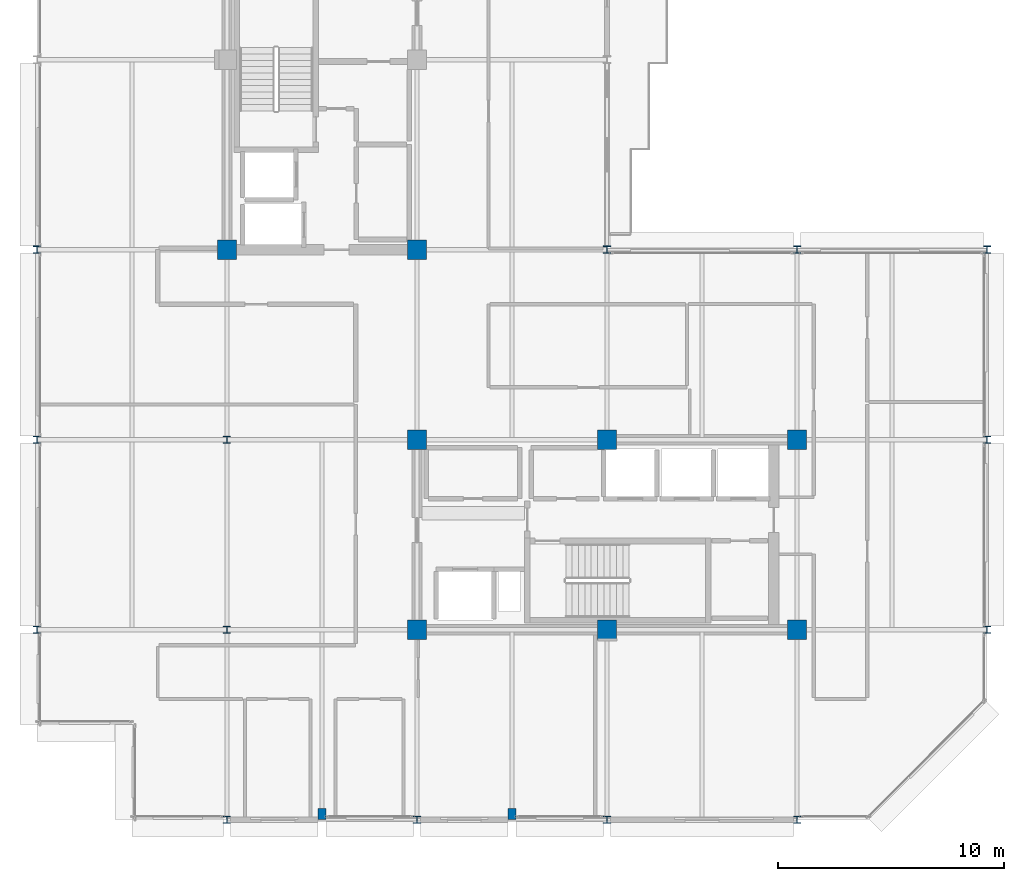
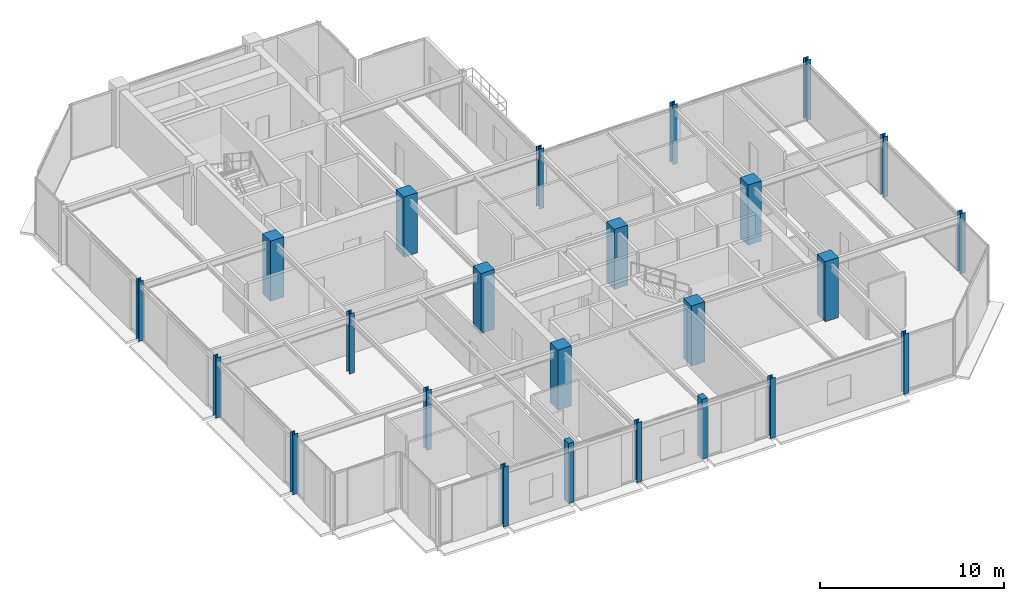
# One storey, part 1 of 27: 24 columns.
"""IFC4 building model written with IfcOpenShell, lengths in metres."""

from ifc_helpers import new_model, si_unit, direction, frame, origin, origin_2d, place, context, subcontext, project, spatial, rectangle, i_section, extrude, material, material_profile, profile_set, type_object, element, save


model = new_model("IFC4")

# Units and contexts
model_context = context("Model", 3, precision=1e-05, world=origin(), true_north=direction((0.0, 1.0)))
body_context = subcontext(model_context, "Body", "Model", "MODEL_VIEW")
ifc_project = project(units=[si_unit("LENGTHUNIT", "METRE"), si_unit("AREAUNIT", "SQUARE_METRE"), si_unit("VOLUMEUNIT", "CUBIC_METRE"), si_unit("PLANEANGLEUNIT", "RADIAN"), si_unit("MASSUNIT", "GRAM", prefix="KILO")], contexts=[model_context])

# Site, building, storey
site_placement = place(None, origin())
site = spatial("IfcSite", under=ifc_project, at=site_placement, CompositionType="ELEMENT")
building_placement = place(site_placement, origin())
building = spatial("IfcBuilding", under=site, at=building_placement, Name="Nerrivon Quay Data Exchange", CompositionType="ELEMENT")
storey_placement = place(building_placement, frame((0.0, 0.0, 254.199951171875)))
storey = spatial("IfcBuildingStorey", under=building, at=storey_placement, Name="L60", CompositionType="ELEMENT", Elevation=254.199951171875)

# Columns
ifc_material_1 = material(Name="Concrete N50 (50 MPa)", Category="concrete")
ifc_material_profile_1 = material_profile(ifc_material_1, rectangle(XDim=0.85009765625, YDim=0.85009765625, at=origin_2d()), Name="RC-COL-850x850")
ifc_profile_set_1 = profile_set([ifc_material_profile_1], Name="Concrete N50 (50 MPa)")
column_type_1 = type_object("IfcColumnType", Name="COL-C5-850", PredefinedType="COLUMN", material=ifc_profile_set_1)
for number, where, z_axis, x_axis, name in (
    (1, (8.39990234375, 25.199951171875, 0.0), (0.0, 0.0, 1.0), (1.0, 0.0, 0.0), "L60 Column (8.4,25.2)"),
    (2, (16.800048828125, 8.39990234375, 0.0), (0.0, 0.0, 1.0), (1.0, 0.0, 0.0), "L60 Column (16.8,8.4)"),
    (3, (16.800048828125, 16.800048828125, 0.0), (0.0, 0.0, 1.0), (1.0, 0.0, 0.0), "L60 Column (16.8,16.8)"),
    (4, (16.800048828125, 25.199951171875, 0.0), (0.0, 0.0, 1.0), (1.0, 0.0, 0.0), "L60 Column (16.8,25.2)"),
    (5, (25.199951171875, 8.39990234375, 0.0), (0.0, 0.0, 1.0), (1.0, 0.0, 0.0), "L60 Column (25.2,8.4)"),
    (6, (25.199951171875, 16.800048828125, 0.0), (0.0, 0.0, 1.0), (1.0, 0.0, 0.0), "L60 Column (25.2,16.8)"),
    (7, (33.60009765625, 8.39990234375, 0.0), (0.0, 0.0, 1.0), (1.0, 0.0, 0.0), "L60 Column (33.6,8.4)"),
    (8, (33.60009765625, 16.800048828125, 0.0), (0.0, 0.0, 1.0), (1.0, 0.0, 0.0), "L60 Column (33.6,16.8)"),
):
    element("IfcColumn", number, at=place(storey_placement, frame(where, z_axis=z_axis, x_axis=x_axis)), inside=storey, type_object=column_type_1, Name=name, PredefinedType="COLUMN", context=body_context, shape_type="SweptSolid", body=[
        extrude(rectangle(XDim=0.85009765625, YDim=0.85009765625, at=origin_2d()), origin(), (0.0, 0.0, 1.0), 4.0),
    ])
ifc_material_2 = material(Name="Steel Grade 350", Category="steel")
ifc_material_profile_2 = material_profile(ifc_material_2, i_section(OverallWidth=0.31103515625, OverallDepth=0.326904296875, WebThickness=0.015625, FlangeThickness=0.02490234375, FilletRadius=0.0166015625, at=origin_2d()), Name="310UC158")
ifc_profile_set_2 = profile_set([ifc_material_profile_2], Name="Steel Grade 350")
column_type_2 = type_object("IfcColumnType", Name="COL-SC4-310UC158", PredefinedType="COLUMN", material=ifc_profile_set_2)
for number, where, z_axis, x_axis, name in (
    (9, (0.0, 8.39990234375, 0.0), (0.0, 0.0, 1.0), (1.0, 0.0, 0.0), "L60 Column (0.0,8.4)"),
    (10, (0.0, 16.800048828125, 0.0), (0.0, 0.0, 1.0), (1.0, 0.0, 0.0), "L60 Column (0.0,16.8)"),
    (11, (0.0, 25.199951171875, 0.0), (0.0, 0.0, 1.0), (1.0, 0.0, 0.0), "L60 Column (0.0,25.2)"),
    (12, (8.39990234375, 0.0, 0.0), (0.0, 0.0, 1.0), (1.0, 0.0, 0.0), "L60 Column (8.4,0.0)"),
    (13, (8.39990234375, 8.39990234375, 0.0), (0.0, 0.0, 1.0), (1.0, 0.0, 0.0), "L60 Column (8.4,8.4)"),
    (14, (8.39990234375, 16.800048828125, 0.0), (0.0, 0.0, 1.0), (1.0, 0.0, 0.0), "L60 Column (8.4,16.8)"),
    (15, (16.800048828125, 0.0, 0.0), (0.0, 0.0, 1.0), (1.0, 0.0, 0.0), "L60 Column (16.8,0.0)"),
    (16, (25.199951171875, 0.0, 0.0), (0.0, 0.0, 1.0), (1.0, 0.0, 0.0), "L60 Column (25.2,0.0)"),
    (17, (25.199951171875, 25.199951171875, 0.0), (0.0, 0.0, 1.0), (1.0, 0.0, 0.0), "L60 Column (25.2,25.2)"),
    (18, (33.60009765625, 0.0, 0.0), (0.0, 0.0, 1.0), (1.0, 0.0, 0.0), "L60 Column (33.6,0.0)"),
    (19, (33.60009765625, 25.199951171875, 0.0), (0.0, 0.0, 1.0), (1.0, 0.0, 0.0), "L60 Column (33.6,25.2)"),
    (20, (42.0, 8.39990234375, 0.0), (0.0, 0.0, 1.0), (1.0, 0.0, 0.0), "L60 Column (42.0,8.4)"),
    (21, (42.0, 16.800048828125, 0.0), (0.0, 0.0, 1.0), (1.0, 0.0, 0.0), "L60 Column (42.0,16.8)"),
    (22, (42.0, 25.199951171875, 0.0), (0.0, 0.0, 1.0), (1.0, 0.0, 0.0), "L60 Column (42.0,25.2)"),
):
    element("IfcColumn", number, at=place(storey_placement, frame(where, z_axis=z_axis, x_axis=x_axis)), inside=storey, type_object=column_type_2, Name=name, PredefinedType="COLUMN", context=body_context, shape_type="SweptSolid", body=[
        extrude(i_section(OverallWidth=0.31103515625, OverallDepth=0.326904296875, WebThickness=0.015625, FlangeThickness=0.02490234375, FilletRadius=0.0166015625, at=origin_2d()), origin(), (0.0, 0.0, 1.0), 4.0),
    ])
ifc_material_profile_3 = material_profile(ifc_material_1, rectangle(XDim=0.35009765625, YDim=0.5, at=origin_2d()), Name="RC-PIL-500x350")
ifc_profile_set_3 = profile_set([ifc_material_profile_3], Name="Concrete N50 (50 MPa)")
column_type_3 = type_object("IfcColumnType", Name="PIL-P2-500x350", PredefinedType="PILASTER", material=ifc_profile_set_3)
for number, where, z_axis, x_axis, name in (
    (23, (12.60009765625, 0.25, 0.0), (0.0, 0.0, 1.0), (1.0, 0.0, 0.0), "L60 Facade Pilaster (12.6)"),
    (24, (21.0, 0.25, 0.0), (0.0, 0.0, 1.0), (1.0, 0.0, 0.0), "L60 Facade Pilaster (21.0)"),
):
    element("IfcColumn", number, at=place(storey_placement, frame(where, z_axis=z_axis, x_axis=x_axis)), inside=storey, type_object=column_type_3, Name=name, PredefinedType="PILASTER", context=body_context, shape_type="SweptSolid", body=[
        extrude(rectangle(XDim=0.35009765625, YDim=0.5, at=origin_2d()), origin(), (0.0, 0.0, 1.0), 4.0),
    ])

save(model, "model.ifc")
